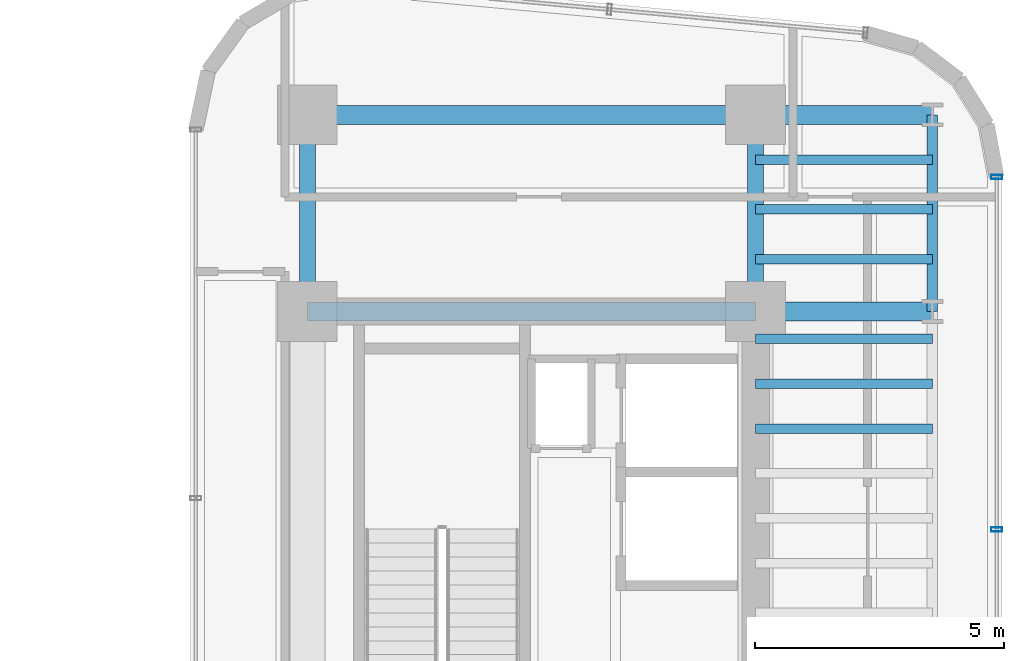
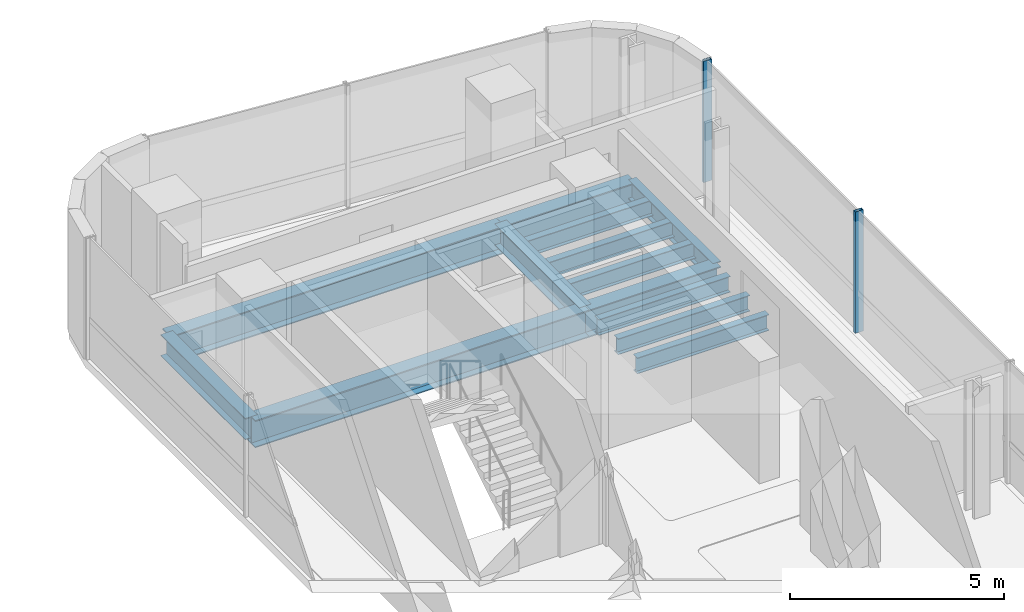
# One storey, part 18 of 34: 13 beams, 2 members, 1 element without a shape of its own.
"""IFC4 building model written with IfcOpenShell, lengths in metres."""

import ifcopenshell
import ifcopenshell.guid

model = None  # the IFC model being written
_history = None  # IfcOwnerHistory: only IFC2X3 demands one
_inside = {}  # id of a spatial element -> (the spatial element, [elements in it])
_under = {}  # id of a project, library or spatial element -> (it, [spatial elements below it])
_declared = {}  # id of a project -> (the project, [libraries it declares])
_typed = {}  # id of a type object -> (the type object, [elements of that type])
_made_of = {}  # id of a material, layer set ... -> (it, [elements and type objects made of it])


def new_model(schema):
    """Start an empty IFC model of exactly this schema.

    Asked for "IFC4X3", IfcOpenShell would pick the latest addendum, in which some entities
    have other attributes; the version numbers below select the first issue.
    IFC2X3 requires an IfcOwnerHistory on every rooted entity: one is made here for all.
    """
    global model, _history
    if schema == "IFC4X3":
        model = ifcopenshell.file(schema_version=(4, 3, 0, 0))
    else:
        model = ifcopenshell.file(schema=schema)
    _inside.clear()
    _under.clear()
    _declared.clear()
    _typed.clear()
    _made_of.clear()
    _history = None
    if model.schema == "IFC2X3":
        org = make("IfcOrganization", Name="unknown")
        user = make(
            "IfcPersonAndOrganization",
            ThePerson=make("IfcPerson", FamilyName="unknown"),
            TheOrganization=org,
        )
        app = make(
            "IfcApplication",
            ApplicationDeveloper=org,
            Version="unknown",
            ApplicationFullName="unknown",
            ApplicationIdentifier="unknown",
        )
        _history = make(
            "IfcOwnerHistory",
            OwningUser=user,
            OwningApplication=app,
            ChangeAction="ADDED",
            CreationDate=0,
        )
    return model


def make(cls, **values):
    """One entity of the class cls with the attributes given. An attribute that is None is left unset."""
    return model.create_entity(
        cls, **{name: value for name, value in values.items() if value is not None}
    )


def rooted(cls, **values):
    """An entity with a GlobalId (a new one), such as an element, a storey or a relation."""
    return make(cls, GlobalId=ifcopenshell.guid.new(), OwnerHistory=_history, **values)


def si_unit(unit_type, name, prefix=None):
    """IfcSIUnit, for example si_unit("LENGTHUNIT", "METRE", prefix="MILLI")."""
    return make("IfcSIUnit", UnitType=unit_type, Prefix=prefix, Name=name)


def assignment(units):
    """IfcUnitAssignment: the units of a project."""
    return None if units is None else make("IfcUnitAssignment", Units=units)


def point(xyz):
    """IfcCartesianPoint."""
    return None if xyz is None else make("IfcCartesianPoint", Coordinates=xyz)


def direction(xyz):
    """IfcDirection."""
    return None if xyz is None else make("IfcDirection", DirectionRatios=xyz)


def frame(location, z_axis=None, x_axis=None):
    """IfcAxis2Placement3D, a coordinate frame: its origin and axes. An axis left out is left unset."""
    return make(
        "IfcAxis2Placement3D",
        Location=point(location),
        Axis=direction(z_axis),
        RefDirection=direction(x_axis),
    )


def frame_2d(location, x_axis=None):
    """IfcAxis2Placement2D, a coordinate frame in the plane: its origin and x axis."""
    return make(
        "IfcAxis2Placement2D", Location=point(location), RefDirection=direction(x_axis)
    )


def origin():
    """The frame at (0, 0, 0) with its axes left unset."""
    return frame((0.0, 0.0, 0.0))


def origin_2d():
    """The frame at (0, 0) in the plane with its x axis left unset."""
    return frame_2d((0.0, 0.0))


def place(relative_to, where):
    """IfcLocalPlacement: puts the frame where relative to a parent placement (None: the world)."""
    return make(
        "IfcLocalPlacement", PlacementRelTo=relative_to, RelativePlacement=where
    )


def context(
    kind, dimensions, precision=None, world=None, true_north=None, identifier=None
):
    """IfcGeometricRepresentationContext, for example the 3D "Model" context."""
    return make(
        "IfcGeometricRepresentationContext",
        ContextIdentifier=identifier,
        ContextType=kind,
        CoordinateSpaceDimension=dimensions,
        Precision=precision,
        WorldCoordinateSystem=world,
        TrueNorth=true_north,
    )


def subcontext(parent, identifier, kind, view, scale=None):
    """IfcGeometricRepresentationSubContext, for example "Body" below "Model"."""
    return make(
        "IfcGeometricRepresentationSubContext",
        ContextIdentifier=identifier,
        ContextType=kind,
        ParentContext=parent,
        TargetScale=scale,
        TargetView=view,
    )


def project(units=None, contexts=None):
    """IfcProject with its units and contexts."""
    return rooted(
        "IfcProject",
        Name="project",
        RepresentationContexts=contexts,
        UnitsInContext=assignment(units),
    )


def spatial(cls, under=None, at=None, **own):
    """A site, building, storey or space (cls), placed at a placement, below another one or the project."""
    s = rooted(cls, ObjectPlacement=at, **own)
    if under is not None:
        _under.setdefault(under.id(), (under, []))[1].append(s)
    return s


def profile(cls, at=None, kind="AREA", **sizes):
    """A parametric profile (cls). Its sizes go by their IFC names, for example OverallWidth=200.0."""
    return make(cls, ProfileType=kind, Position=at, **sizes)


def hollow_rectangle(**sizes):
    """IfcRectangleHollowProfileDef."""
    return profile("IfcRectangleHollowProfileDef", **sizes)


def i_section(**sizes):
    """IfcIShapeProfileDef."""
    return profile("IfcIShapeProfileDef", **sizes)


def extrude(swept, where, along, depth):
    """IfcExtrudedAreaSolid: the profile swept, set in the frame where, extruded along a direction by depth."""
    return make(
        "IfcExtrudedAreaSolid",
        SweptArea=swept,
        Position=where,
        ExtrudedDirection=direction(along),
        Depth=depth,
    )


def shape(context_of_items, identifier, shape_type, items):
    """IfcShapeRepresentation: the items that make up one representation, for example the "Body"."""
    return make(
        "IfcShapeRepresentation",
        ContextOfItems=context_of_items,
        RepresentationIdentifier=identifier,
        RepresentationType=shape_type,
        Items=items,
    )


def source(mapping_origin, context_of_items, identifier, shape_type, items):
    """IfcRepresentationMap: a shape defined once, which mapped items show again and again."""
    return make(
        "IfcRepresentationMap",
        MappingOrigin=mapping_origin,
        MappedRepresentation=shape(context_of_items, identifier, shape_type, items),
    )


def transform(
    local_origin,
    x_axis=None,
    y_axis=None,
    z_axis=None,
    scale=None,
    scale2=None,
    scale3=None,
    uniform=True,
):
    """IfcCartesianTransformationOperator3D, or its non-uniform kind. x_axis, y_axis, z_axis: its Axis1, 2, 3."""
    if uniform:
        return make(
            "IfcCartesianTransformationOperator3D",
            Axis1=direction(x_axis),
            Axis2=direction(y_axis),
            LocalOrigin=point(local_origin),
            Scale=scale,
            Axis3=direction(z_axis),
        )
    return make(
        "IfcCartesianTransformationOperator3DnonUniform",
        Axis1=direction(x_axis),
        Axis2=direction(y_axis),
        LocalOrigin=point(local_origin),
        Scale=scale,
        Axis3=direction(z_axis),
        Scale2=scale2,
        Scale3=scale3,
    )


def mapped(mapping_source, mapping_target):
    """IfcMappedItem: shows the shape of a source again, moved by a transform."""
    return make(
        "IfcMappedItem", MappingSource=mapping_source, MappingTarget=mapping_target
    )


def material(Name=None, Category=None):
    """IfcMaterial."""
    return make("IfcMaterial", Name=Name, Category=Category)


def material_profile(
    of_material, cross_section, Name=None, Category=None, Priority=None
):
    """IfcMaterialProfile: a cross section and its material."""
    return make(
        "IfcMaterialProfile",
        Name=Name,
        Material=of_material,
        Profile=cross_section,
        Priority=Priority,
        Category=Category,
    )


def profile_set(profiles, Name=None, composite=None):
    """IfcMaterialProfileSet."""
    return make(
        "IfcMaterialProfileSet",
        Name=Name,
        MaterialProfiles=profiles,
        CompositeProfile=composite,
    )


def made_of(thing, what):
    """Note that an element or type object is made of a material, layer set ...; save() writes the relation."""
    if what is not None:
        _made_of.setdefault(what.id(), (what, []))[1].append(thing)
    return thing


def type_object(cls, material=None, **own):
    """A type object (cls), such as IfcWallType, which elements share."""
    return made_of(rooted(cls, **own), material)


def element(
    cls,
    number,
    at=None,
    inside=None,
    cuts=None,
    type_object=None,
    material=None,
    context=None,
    identifier="Body",
    shape_type=None,
    held_by="IfcProductDefinitionShape",
    body=None,
    shapes=None,
    **own,
):
    """One element of the class cls, such as IfcWall. Its Tag is "e" and its number.

    at: its placement. inside: the storey or other place that contains it. cuts: it is an
    opening in that element (IfcRelVoidsElement). A single representation is given by context,
    identifier, shape_type and body (its items); several are given by shapes. held_by: the class
    of the entity that holds the representations. save() writes the other relations.
    """
    e = rooted(cls, Tag="e%d" % number, ObjectPlacement=at, **own)
    if body is not None:
        shapes = [shape(context, identifier, shape_type, body)]
    if shapes is not None:
        e.Representation = make(held_by, Representations=shapes)
    if inside is not None:
        _inside.setdefault(inside.id(), (inside, []))[1].append(e)
    if cuts is not None:
        rooted(
            "IfcRelVoidsElement", RelatingBuildingElement=cuts, RelatedOpeningElement=e
        )
    if type_object is not None:
        _typed.setdefault(type_object.id(), (type_object, []))[1].append(e)
    return made_of(e, material)


def aggregate(whole, parts):
    """IfcRelAggregates: a whole, such as a stair, and the parts it consists of."""
    return rooted("IfcRelAggregates", RelatingObject=whole, RelatedObjects=parts)


def save(model, path):
    """Write the relations noted so far, then the file.

    IfcRelAggregates (storeys below a building ...), IfcRelContainedInSpatialStructure (elements
    in a storey), IfcRelDefinesByType, IfcRelAssociatesMaterial and IfcRelDeclares: one each for
    every whole, place, type object, material and project.
    """
    for whole, parts in _under.values():
        aggregate(whole, parts)
    for where, things in _inside.values():
        rooted(
            "IfcRelContainedInSpatialStructure",
            RelatedElements=things,
            RelatingStructure=where,
        )
    for kind, things in _typed.values():
        rooted("IfcRelDefinesByType", RelatedObjects=things, RelatingType=kind)
    for what, things in _made_of.values():
        rooted("IfcRelAssociatesMaterial", RelatedObjects=things, RelatingMaterial=what)
    for by, libraries in _declared.values():
        rooted("IfcRelDeclares", RelatingContext=by, RelatedDefinitions=libraries)
    model.write(path)


model = new_model("IFC4")

# Units and contexts
model_context = context("Model", 3, precision=1e-05, world=origin(), true_north=direction((0.0, 1.0)))
body_context = subcontext(model_context, "Body", "Model", "MODEL_VIEW")
ifc_project = project(units=[si_unit("LENGTHUNIT", "METRE"), si_unit("AREAUNIT", "SQUARE_METRE"), si_unit("VOLUMEUNIT", "CUBIC_METRE"), si_unit("PLANEANGLEUNIT", "RADIAN"), si_unit("MASSUNIT", "GRAM", prefix="KILO")], contexts=[model_context])

# Site, building, storey
site_placement = place(None, origin())
site = spatial("IfcSite", under=ifc_project, at=site_placement, CompositionType="ELEMENT")
building_placement = place(site_placement, origin())
building = spatial("IfcBuilding", under=site, at=building_placement, Name="Valdorenza Pilgrim Sanctuary Tower", CompositionType="ELEMENT")
storey_placement = place(building_placement, frame((0.0, 0.0, 164.89990234375)))
storey = spatial("IfcBuildingStorey", under=building, at=storey_placement, Name="L42", CompositionType="ELEMENT", Elevation=164.89990234375)

# Beams
ifc_material_1 = material(Name="Steel ASTM A992 Grade 50", Category="steel")
ifc_material_profile_1 = material_profile(ifc_material_1, i_section(OverallWidth=0.323974609375, OverallDepth=0.611083984375, WebThickness=0.0126953125, FlangeThickness=0.01904296875, at=origin_2d()), Name="W24X104")
ifc_profile_set_1 = profile_set([ifc_material_profile_1], Name="Steel ASTM A992 Grade 50")
beam_type_1 = type_object("IfcBeamType", Name="STR-BM-GRD-W24B", PredefinedType="BEAM", material=ifc_profile_set_1)
shared_shape_1 = source(origin(), body_context, "Body", "SweptSolid", [
    extrude(i_section(OverallWidth=0.323974609375, OverallDepth=0.611083984375, WebThickness=0.0126953125, FlangeThickness=0.01904296875, at=origin_2d()), origin(), (0.0, 0.0, 1.0), 3.949951171875),
])
for number, where, z_axis, x_axis, name in (
    (1, (15.85009765625, 9.550048828125, -0.54541015625), (0.0, 1.0, 0.0), (-1.0, 0.0, 0.0), "L42 Core Tie Girder CB-W-N1N2"),
    (2, (24.85009765625, 9.550048828125, -0.54541015625), (0.0, 1.0, 0.0), (-1.0, 0.0, 0.0), "L42 Core Tie Girder CB-E-N1N2"),
):
    element("IfcBeam", number, at=place(storey_placement, frame(where, z_axis=z_axis, x_axis=x_axis)), inside=storey, type_object=beam_type_1, Name=name, PredefinedType="BEAM", context=body_context, shape_type="MappedRepresentation", body=[
        mapped(shared_shape_1, transform((0.0, 0.0, 0.0), x_axis=(1.0, 0.0, 0.0), y_axis=(0.0, 1.0, 0.0), z_axis=(0.0, 0.0, 1.0), scale=1.0)),
    ])
ifc_material_profile_2 = material_profile(ifc_material_1, i_section(OverallWidth=0.214111328125, OverallDepth=0.549072265625, WebThickness=0.0146484375, FlangeThickness=0.023681640625, at=origin_2d()), Name="W21X93")
ifc_profile_set_2 = profile_set([ifc_material_profile_2], Name="Steel ASTM A992 Grade 50")
beam_type_2 = type_object("IfcBeamType", Name="STR-BM-SPN-W21A", PredefinedType="SPANDREL", material=ifc_profile_set_2)
shared_shape_2 = source(origin(), body_context, "Body", "SweptSolid", [
    extrude(i_section(OverallWidth=0.214111328125, OverallDepth=0.549072265625, WebThickness=0.0146484375, FlangeThickness=0.023681640625, at=origin_2d()), origin(), (0.0, 0.0, 1.0), 3.949951171875),
])
beam_placement = place(storey_placement, frame((28.39990234375, 9.550048828125, -0.514404296875), z_axis=(0.0, 1.0, 0.0), x_axis=(-1.0, 0.0, 0.0)))
element("IfcBeam", 3, at=beam_placement, inside=storey, type_object=beam_type_2, Name="L42 Spandrel Beam WB-E-N1N2", PredefinedType="SPANDREL", context=body_context, shape_type="MappedRepresentation", body=[
    mapped(shared_shape_2, transform((0.0, 0.0, 0.0), x_axis=(1.0, 0.0, 0.0), y_axis=(0.0, 1.0, 0.0), z_axis=(0.0, 0.0, 1.0), scale=1.0)),
])
ifc_material_profile_3 = material_profile(ifc_material_1, i_section(OverallWidth=0.382080078125, OverallDepth=0.779052734375, WebThickness=0.01806640625, FlangeThickness=0.030029296875, at=origin_2d()), Name="W30X191")
ifc_profile_set_3 = profile_set([ifc_material_profile_3], Name="Steel ASTM A992 Grade 50")
beam_type_3 = type_object("IfcBeamType", Name="STR-BM-GRD-W30", PredefinedType="BEAM", material=ifc_profile_set_3)
shared_shape_3 = source(origin(), body_context, "Body", "SweptSolid", [
    extrude(i_section(OverallWidth=0.382080078125, OverallDepth=0.779052734375, WebThickness=0.01806640625, FlangeThickness=0.030029296875, at=origin_2d()), origin(), (0.0, 0.0, 1.0), 9.0),
])
for number, where, z_axis, x_axis, name in (
    (4, (15.85009765625, 9.550048828125, -0.62939453125), (1.0, 0.0, 0.0), (0.0, 1.0, 0.0), "L42 Floor Girder CB-XC-N1"),
    (5, (15.85009765625, 13.5, -0.62939453125), (1.0, 0.0, 0.0), (0.0, 1.0, 0.0), "L42 Floor Girder CB-XC-N2"),
):
    element("IfcBeam", number, at=place(storey_placement, frame(where, z_axis=z_axis, x_axis=x_axis)), inside=storey, type_object=beam_type_3, Name=name, PredefinedType="BEAM", context=body_context, shape_type="MappedRepresentation", body=[
        mapped(shared_shape_3, transform((0.0, 0.0, 0.0), x_axis=(1.0, 0.0, 0.0), y_axis=(0.0, 1.0, 0.0), z_axis=(0.0, 0.0, 1.0), scale=1.0)),
    ])
shared_shape_4 = source(origin(), body_context, "Body", "SweptSolid", [
    extrude(i_section(OverallWidth=0.382080078125, OverallDepth=0.779052734375, WebThickness=0.01806640625, FlangeThickness=0.030029296875, at=origin_2d()), origin(), (0.0, 0.0, 1.0), 3.5498046875),
])
for number, where, z_axis, x_axis, name in (
    (6, (24.85009765625, 9.550048828125, -0.62939453125), (1.0, 0.0, 0.0), (0.0, 1.0, 0.0), "L42 Floor Girder WB-XE-N1"),
    (7, (24.85009765625, 13.5, -0.62939453125), (1.0, 0.0, 0.0), (0.0, 1.0, 0.0), "L42 Floor Girder WB-XE-N2"),
):
    element("IfcBeam", number, at=place(storey_placement, frame(where, z_axis=z_axis, x_axis=x_axis)), inside=storey, type_object=beam_type_3, Name=name, PredefinedType="BEAM", context=body_context, shape_type="MappedRepresentation", body=[
        mapped(shared_shape_4, transform((0.0, 0.0, 0.0), x_axis=(1.0, 0.0, 0.0), y_axis=(0.0, 1.0, 0.0), z_axis=(0.0, 0.0, 1.0), scale=1.0)),
    ])
ifc_material_profile_4 = material_profile(ifc_material_1, i_section(OverallWidth=0.19091796875, OverallDepth=0.45703125, WebThickness=0.009033203125, FlangeThickness=0.014404296875, at=origin_2d()), Name="W18X50")
ifc_profile_set_4 = profile_set([ifc_material_profile_4], Name="Steel ASTM A992 Grade 50")
beam_type_4 = type_object("IfcBeamType", Name="STR-BM-JST-W18B", PredefinedType="JOIST", material=ifc_profile_set_4)
shared_shape_5 = source(origin(), body_context, "Body", "SweptSolid", [
    extrude(i_section(OverallWidth=0.19091796875, OverallDepth=0.45703125, WebThickness=0.009033203125, FlangeThickness=0.014404296875, at=origin_2d()), origin(), (0.0, 0.0, 1.0), 3.5498046875),
])
for number, where, z_axis, x_axis, name in (
    (8, (24.85009765625, 7.199951171875, -0.468505859375), (1.0, 0.0, 0.0), (0.0, 1.0, 0.0), "L42 Composite Floor Joist JST-WB-16"),
    (9, (24.85009765625, 8.10009765625, -0.468505859375), (1.0, 0.0, 0.0), (0.0, 1.0, 0.0), "L42 Composite Floor Joist JST-WB-17"),
    (10, (24.85009765625, 9.0, -0.468505859375), (1.0, 0.0, 0.0), (0.0, 1.0, 0.0), "L42 Composite Floor Joist JST-WB-18"),
    (11, (24.85009765625, 10.60009765625, -0.468505859375), (1.0, 0.0, 0.0), (0.0, 1.0, 0.0), "L42 Composite Floor Joist JST-WB-19"),
    (12, (24.85009765625, 11.60009765625, -0.468505859375), (1.0, 0.0, 0.0), (0.0, 1.0, 0.0), "L42 Composite Floor Joist JST-WB-20"),
    (13, (24.85009765625, 12.60009765625, -0.468505859375), (1.0, 0.0, 0.0), (0.0, 1.0, 0.0), "L42 Composite Floor Joist JST-WB-21"),
):
    element("IfcBeam", number, at=place(storey_placement, frame(where, z_axis=z_axis, x_axis=x_axis)), inside=storey, type_object=beam_type_4, Name=name, PredefinedType="JOIST", context=body_context, shape_type="MappedRepresentation", body=[
        mapped(shared_shape_5, transform((0.0, 0.0, 0.0), x_axis=(1.0, 0.0, 0.0), y_axis=(0.0, 1.0, 0.0), z_axis=(0.0, 0.0, 1.0), scale=1.0)),
    ])

# Curtain wall, members
ifc_material_2 = material(Name="Curtain-wall IGU glazing", Category="glass")
curtain_wall_type = type_object("IfcCurtainWallType", Name="CW-SYS-03", PredefinedType="NOTDEFINED", material=ifc_material_2)
curtain_wall_placement = place(storey_placement, origin())
curtain_wall = element("IfcCurtainWall", 14, at=curtain_wall_placement, inside=storey, type_object=curtain_wall_type, Name="L42 Curtain Wall CW-L42-2-11", PredefinedType="NOTDEFINED")
ifc_material_3 = material(Name="Anodised aluminium AW-6060", Category="aluminium")
ifc_material_profile_5 = material_profile(ifc_material_3, hollow_rectangle(XDim=0.0849609375, YDim=0.219970703125, WallThickness=0.0048828125, at=origin_2d()), Name="ALU-M 220x85x5")
ifc_profile_set_5 = profile_set([ifc_material_profile_5], Name="Anodised aluminium AW-6060")
member_type = type_object("IfcMemberType", Name="CW-MUL-03", PredefinedType="MULLION", material=ifc_profile_set_5)
shared_shape_6 = source(origin(), body_context, "Body", "SweptSolid", [
    extrude(hollow_rectangle(XDim=0.0849609375, YDim=0.219970703125, WallThickness=0.0048828125, at=origin_2d()), origin(), (0.0, 0.0, 1.0), 3.460205078125),
])
member_1_placement = place(storey_placement, frame((29.68994140625, 12.253173828125, 0.0), z_axis=(0.0, 0.0, 1.0), x_axis=(0.0, -1.0, 0.0)))
member_1 = element("IfcMember", 15, at=member_1_placement, type_object=member_type, Name="CW-L42-2-11 Mullion 1", PredefinedType="MULLION", context=body_context, shape_type="MappedRepresentation", body=[
    mapped(shared_shape_6, transform((0.0, 0.0, 0.0), x_axis=(1.0, 0.0, 0.0), y_axis=(0.0, 1.0, 0.0), z_axis=(0.0, 0.0, 1.0), scale=1.0)),
])
member_2_placement = place(storey_placement, frame((29.68994140625, 5.17236328125, 0.0), z_axis=(0.0, 0.0, 1.0), x_axis=(0.0, -1.0, 0.0)))
member_2 = element("IfcMember", 16, at=member_2_placement, type_object=member_type, Name="CW-L42-2-11 Mullion 2", PredefinedType="MULLION", context=body_context, shape_type="MappedRepresentation", body=[
    mapped(shared_shape_6, transform((0.0, 0.0, 0.0), x_axis=(1.0, 0.0, 0.0), y_axis=(0.0, 1.0, 0.0), z_axis=(0.0, 0.0, 1.0), scale=1.0)),
])
aggregate(curtain_wall, [member_1, member_2])

save(model, "model.ifc")
